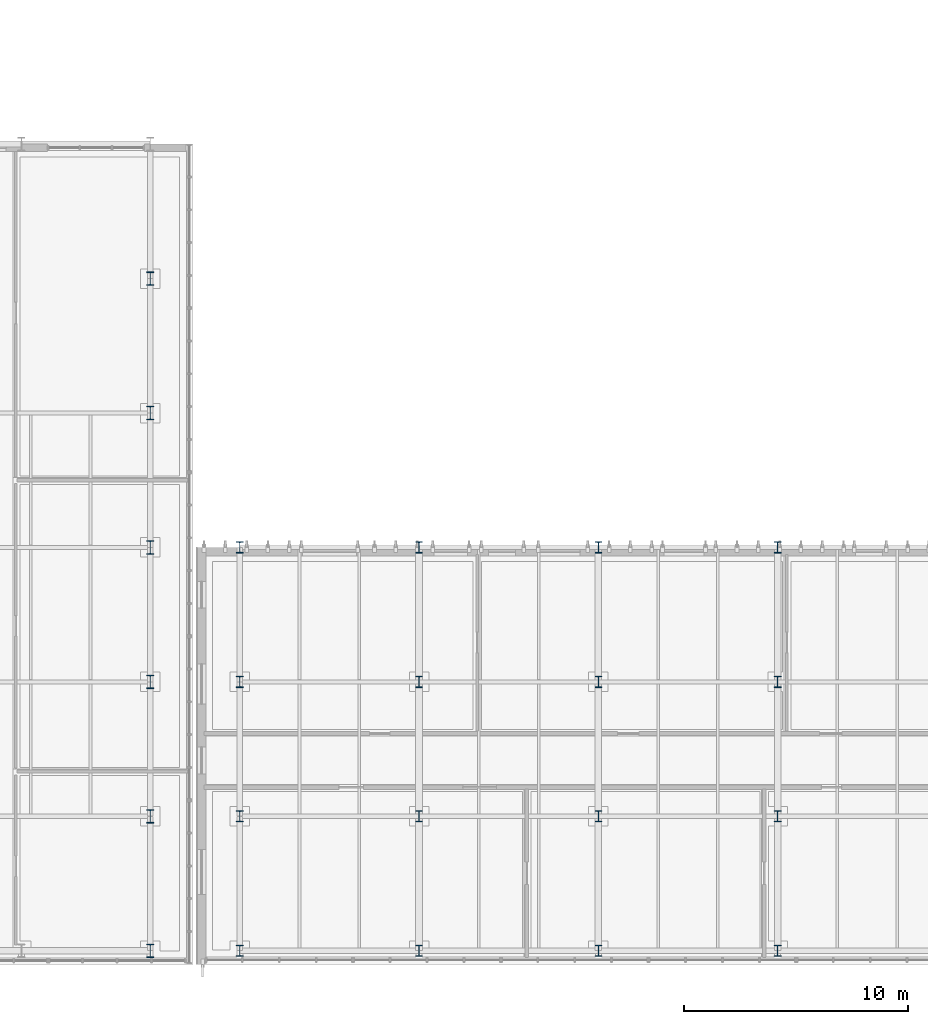
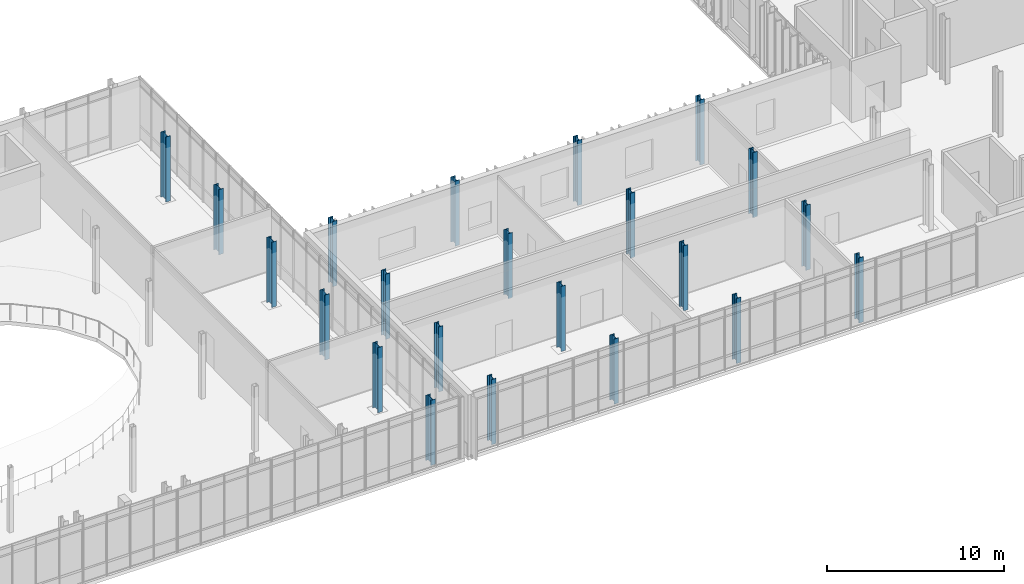
# One storey, part 6 of 100: 22 columns.
"""IFC4 building model written with IfcOpenShell, lengths in metres."""

from ifc_helpers import new_model, si_unit, direction, frame, origin, origin_2d, place, context, subcontext, project, spatial, i_section, extrude, material, material_profile, profile_set, type_object, element, save


model = new_model("IFC4")

# Units and contexts
model_context = context("Model", 3, precision=1e-05, world=origin(), true_north=direction((0.0, 1.0)))
body_context = subcontext(model_context, "Body", "Model", "MODEL_VIEW")
ifc_project = project(units=[si_unit("LENGTHUNIT", "METRE"), si_unit("AREAUNIT", "SQUARE_METRE"), si_unit("VOLUMEUNIT", "CUBIC_METRE"), si_unit("PLANEANGLEUNIT", "RADIAN"), si_unit("MASSUNIT", "GRAM", prefix="KILO")], contexts=[model_context])

# Site, building, storey
site_placement = place(None, origin())
site = spatial("IfcSite", under=ifc_project, at=site_placement, CompositionType="ELEMENT")
building_placement = place(site_placement, origin())
building = spatial("IfcBuilding", under=site, at=building_placement, Name="Cymarion Research Institute", CompositionType="ELEMENT")
storey_placement = place(building_placement, frame((0.0, 0.0, 4.800048828125)))
storey = spatial("IfcBuildingStorey", under=building, at=storey_placement, Name="L01", CompositionType="ELEMENT", Elevation=4.800048828125)

# Columns
ifc_material = material(Name="Steel S355", Category="steel")
ifc_material_profile_1 = material_profile(ifc_material, i_section(OverallWidth=0.300048828125, OverallDepth=0.60009765625, WebThickness=0.015380859375, FlangeThickness=0.030029296875, FilletRadius=0.027099609375, at=origin_2d()), Name="HEB 600")
ifc_profile_set_1 = profile_set([ifc_material_profile_1], Name="Steel S355")
column_type_1 = type_object("IfcColumnType", Name="STRUCTURAL COLUMN C02 HEB 600", PredefinedType="COLUMN", material=ifc_profile_set_1)
for number, where, z_axis, x_axis, name in (
    (1, (102.60009765625, 5.5, 0.0), (0.0, 0.0, 1.0), (1.0, 0.0, 0.0), "L01 V2 column C02 #601"),
    (2, (102.60009765625, 11.5, 0.0), (0.0, 0.0, 1.0), (1.0, 0.0, 0.0), "L01 V2 column C02 #602"),
    (3, (102.60009765625, 17.5, 0.0), (0.0, 0.0, 1.0), (1.0, 0.0, 0.0), "L01 V2 column C02 #603"),
    (4, (102.60009765625, 23.5, 0.0), (0.0, 0.0, 1.0), (1.0, 0.0, 0.0), "L01 V2 column C02 #604"),
    (5, (102.60009765625, 29.5, 0.0), (0.0, 0.0, 1.0), (1.0, 0.0, 0.0), "L01 V2 column C02 #605"),
    (6, (102.60009765625, 35.5, 0.0), (0.0, 0.0, 1.0), (1.0, 0.0, 0.0), "L01 V2 column C02 #606"),
):
    element("IfcColumn", number, at=place(storey_placement, frame(where, z_axis=z_axis, x_axis=x_axis)), inside=storey, type_object=column_type_1, Name=name, PredefinedType="COLUMN", context=body_context, shape_type="SweptSolid", body=[
        extrude(i_section(OverallWidth=0.300048828125, OverallDepth=0.60009765625, WebThickness=0.015380859375, FlangeThickness=0.030029296875, FilletRadius=0.027099609375, at=origin_2d()), origin(), (0.0, 0.0, 1.0), 4.5),
    ])
ifc_material_profile_2 = material_profile(ifc_material, i_section(OverallWidth=0.300048828125, OverallDepth=0.5, WebThickness=0.014404296875, FlangeThickness=0.028076171875, FilletRadius=0.027099609375, at=origin_2d()), Name="HEB 500")
ifc_profile_set_2 = profile_set([ifc_material_profile_2], Name="Steel S355")
column_type_2 = type_object("IfcColumnType", Name="STRUCTURAL COLUMN C04 HEB 500", PredefinedType="COLUMN", material=ifc_profile_set_2)
for number, where, z_axis, x_axis, name in (
    (7, (106.60009765625, 5.5, 0.0), (0.0, 0.0, 1.0), (1.0, 0.0, 0.0), "L01 V1 column C04 #608"),
    (8, (106.60009765625, 11.5, 0.0), (0.0, 0.0, 1.0), (1.0, 0.0, 0.0), "L01 V1 column C04 #609"),
    (9, (106.60009765625, 17.5, 0.0), (0.0, 0.0, 1.0), (1.0, 0.0, 0.0), "L01 V1 column C04 #610"),
    (10, (106.60009765625, 23.5, 0.0), (0.0, 0.0, 1.0), (1.0, 0.0, 0.0), "L01 V1 column C04 #611"),
    (11, (114.60009765625, 5.5, 0.0), (0.0, 0.0, 1.0), (1.0, 0.0, 0.0), "L01 V1 column C04 #612"),
    (12, (114.60009765625, 11.5, 0.0), (0.0, 0.0, 1.0), (1.0, 0.0, 0.0), "L01 V1 column C04 #613"),
    (13, (114.60009765625, 17.5, 0.0), (0.0, 0.0, 1.0), (1.0, 0.0, 0.0), "L01 V1 column C04 #614"),
    (14, (114.60009765625, 23.5, 0.0), (0.0, 0.0, 1.0), (1.0, 0.0, 0.0), "L01 V1 column C04 #615"),
    (15, (122.60009765625, 5.5, 0.0), (0.0, 0.0, 1.0), (1.0, 0.0, 0.0), "L01 V1 column C04 #616"),
    (16, (122.60009765625, 11.5, 0.0), (0.0, 0.0, 1.0), (1.0, 0.0, 0.0), "L01 V1 column C04 #617"),
    (17, (122.60009765625, 17.5, 0.0), (0.0, 0.0, 1.0), (1.0, 0.0, 0.0), "L01 V1 column C04 #618"),
    (18, (122.60009765625, 23.5, 0.0), (0.0, 0.0, 1.0), (1.0, 0.0, 0.0), "L01 V1 column C04 #619"),
    (19, (130.60009765625, 5.5, 0.0), (0.0, 0.0, 1.0), (1.0, 0.0, 0.0), "L01 V1 column C04 #620"),
    (20, (130.60009765625, 11.5, 0.0), (0.0, 0.0, 1.0), (1.0, 0.0, 0.0), "L01 V1 column C04 #621"),
    (21, (130.60009765625, 17.5, 0.0), (0.0, 0.0, 1.0), (1.0, 0.0, 0.0), "L01 V1 column C04 #622"),
    (22, (130.60009765625, 23.5, 0.0), (0.0, 0.0, 1.0), (1.0, 0.0, 0.0), "L01 V1 column C04 #623"),
):
    element("IfcColumn", number, at=place(storey_placement, frame(where, z_axis=z_axis, x_axis=x_axis)), inside=storey, type_object=column_type_2, Name=name, PredefinedType="COLUMN", context=body_context, shape_type="SweptSolid", body=[
        extrude(i_section(OverallWidth=0.300048828125, OverallDepth=0.5, WebThickness=0.014404296875, FlangeThickness=0.028076171875, FilletRadius=0.027099609375, at=origin_2d()), origin(), (0.0, 0.0, 1.0), 4.5),
    ])

save(model, "model.ifc")
